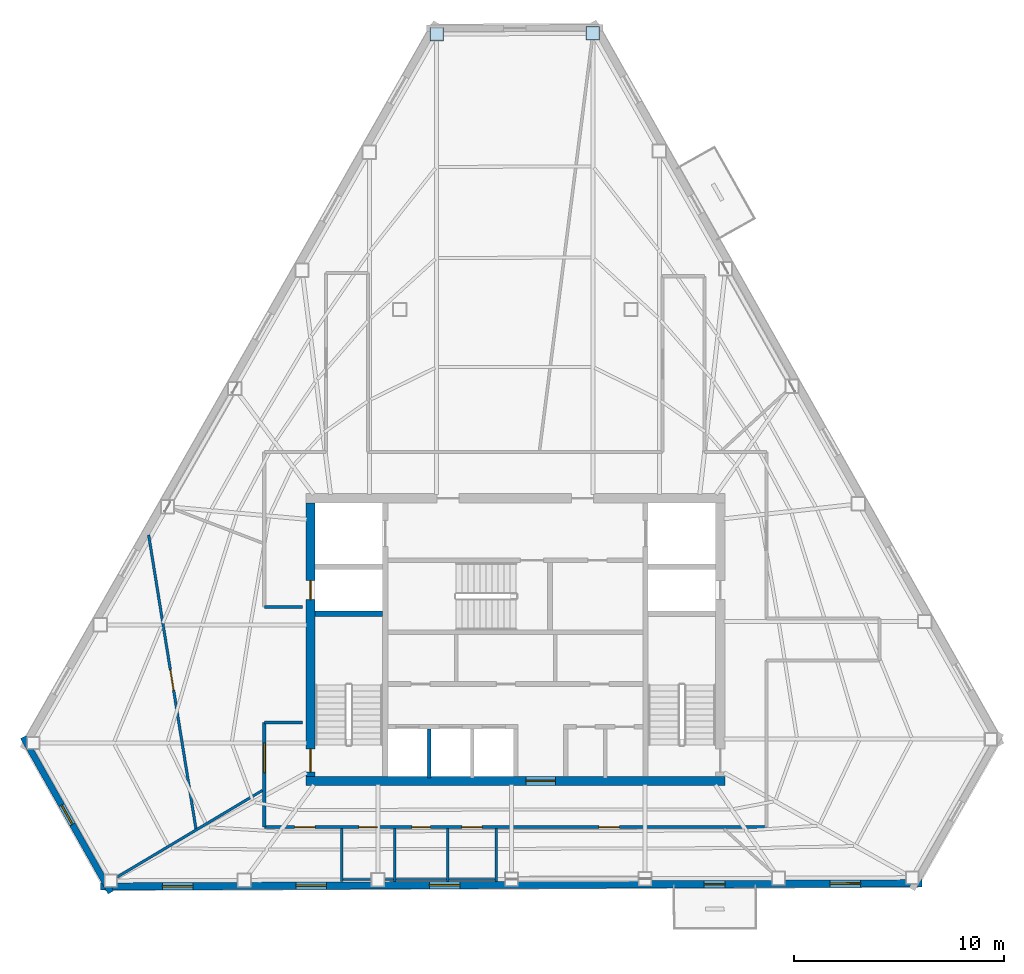
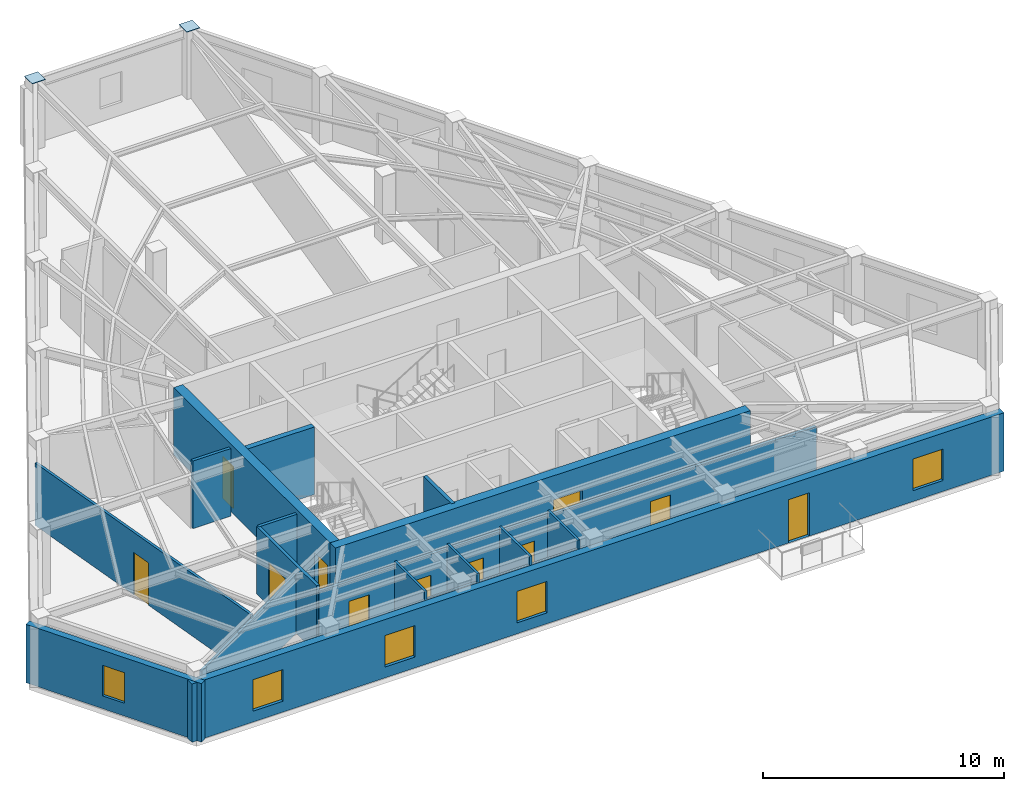
# One storey, part 6 of 10: 17 walls, 11 doors, 5 windows, 2 plates, 16 openings.
"""IFC4 building model written with IfcOpenShell, lengths in metres."""

from ifc_helpers import new_model, si_unit, direction, frame, frame_2d, origin, origin_2d, place, context, subcontext, project, spatial, rectangle, extrude, material, layer, layer_set, type_object, element, fill, save


model = new_model("IFC4")

# Units and contexts
model_context = context("Model", 3, precision=1e-05, world=origin(), true_north=direction((0.0, 1.0)))
body_context = subcontext(model_context, "Body", "Model", "MODEL_VIEW")
ifc_project = project(units=[si_unit("LENGTHUNIT", "METRE"), si_unit("AREAUNIT", "SQUARE_METRE"), si_unit("VOLUMEUNIT", "CUBIC_METRE"), si_unit("PLANEANGLEUNIT", "RADIAN"), si_unit("MASSUNIT", "GRAM", prefix="KILO")], contexts=[model_context])

# Site, building, storey
site_placement = place(None, origin())
site = spatial("IfcSite", under=ifc_project, at=site_placement, CompositionType="ELEMENT")
building_placement = place(site_placement, origin())
building = spatial("IfcBuilding", under=site, at=building_placement, Name="Kavelnor Concourse Tower", CompositionType="ELEMENT")
storey_placement = place(building_placement, frame((0.0, 0.0, 230.449951171875)))
storey = spatial("IfcBuildingStorey", under=building, at=storey_placement, Name="L58", CompositionType="ELEMENT", Elevation=230.449951171875)

# Plates
ifc_material_1 = material(Name="Steel Grade 350", Category="steel")
ifc_layer_1 = layer(ifc_material_1, 0.02490234375, Name="Steel Grade 350")
ifc_layer_set_1 = layer_set([ifc_layer_1], Name="Steel Grade 350")
plate_type = type_object("IfcPlateType", Name="PL-SPLICE-FLANGE", PredefinedType="SHEET", material=ifc_layer_set_1)
for number, where, z_axis, x_axis, name in (
    (1, (34.25634765625, 44.89892578125, 3.427001953125), (0.0, 0.0, 1.0), (1.0, 0.0, 0.0), "L58 Column Top Cap Plate F0-B0"),
    (2, (41.689453125, 44.927978515625, 3.427001953125), (0.0, 0.0, 1.0), (1.0, 0.0, 0.0), "L58 Column Top Cap Plate F2-B6"),
):
    element("IfcPlate", number, at=place(storey_placement, frame(where, z_axis=z_axis, x_axis=x_axis)), inside=storey, type_object=plate_type, Name=name, PredefinedType="SHEET", context=body_context, shape_type="SweptSolid", body=[
        extrude(rectangle(XDim=0.639892578125, YDim=0.639892578125, at=origin_2d()), origin(), (0.0, 0.0, 1.0), 0.02490234375),
    ])

# Wall, opening, door
ifc_material_2 = material(Name="Concrete C50/60", Category="concrete")
ifc_layer_2 = layer(ifc_material_2, 0.43994140625, Name="Concrete C50/60")
ifc_layer_set_2 = layer_set([ifc_layer_2], Name="Concrete C50/60")
wall_type_1 = type_object("IfcWallType", Name="WL-CORE-Z3-440", PredefinedType="SOLIDWALL", material=ifc_layer_set_2)
wall_1_placement = place(storey_placement, frame((28.0400390625, 9.3798828125, 0.0), z_axis=(0.0, 0.0, 1.0), x_axis=(1.0, 0.0, 0.0)))
wall_1 = element("IfcWall", 3, at=wall_1_placement, inside=storey, type_object=wall_type_1, Name="L58 Central Core South Shear Wall", PredefinedType="SOLIDWALL", context=body_context, shape_type="SweptSolid", body=[
    extrude(rectangle(XDim=19.919921875, YDim=0.43994140625, at=frame_2d((9.9599609375, 0.0))), origin(), (0.0, 0.0, 1.0), 3.429931640625),
])
opening_1_placement = place(wall_1_placement, frame((10.4599609375, 0.0, 0.0)))
opening_1 = element("IfcOpeningElement", 4, at=opening_1_placement, cuts=wall_1, Name="Opening SD-140", PredefinedType="OPENING", context=body_context, shape_type="SweptSolid", body=[
    extrude(rectangle(XDim=1.39990234375, YDim=2.199951171875, at=frame_2d((0.699951171875, 1.10009765625))), frame((0.0, 0.22998046875, 0.0), z_axis=(0.0, -1.0, 0.0), x_axis=(1.0, 0.0, 0.0)), (0.0, 0.0, 1.0), 0.4599609375),
])
ifc_material_3 = material(Name="Solid-core hardwood timber", Category="wood")
door_type_1 = type_object("IfcDoorType", Name="DR-SUITE-ENTRY-1400", OperationType="NOTDEFINED", PredefinedType="DOOR", material=ifc_material_3)
door_1_placement = place(opening_1_placement, origin())
door_1 = element("IfcDoor", 5, at=door_1_placement, inside=storey, type_object=door_type_1, Name="L58 Passenger Lift Lobby Entry Door", OperationType="SINGLE_SWING_LEFT", OverallHeight=2.199951171875, OverallWidth=1.39990234375, PredefinedType="DOOR", context=body_context, shape_type="SweptSolid", body=[
    extrude(rectangle(XDim=1.39990234375, YDim=2.199951171875, at=frame_2d((0.699951171875, 1.10009765625))), frame((0.0, 0.02490234375, 0.0), z_axis=(0.0, -1.0, 0.0), x_axis=(1.0, 0.0, 0.0)), (0.0, 0.0, 1.0), 0.050048828125),
])
fill(opening_1, door_1)

# Wall, openings, doors
wall_2_placement = place(storey_placement, frame((28.260009765625, 9.60009765625, 0.0), z_axis=(0.0, 0.0, 1.0), x_axis=(0.0, 1.0, 0.0)))
wall_2 = element("IfcWall", 6, at=wall_2_placement, inside=storey, type_object=wall_type_1, Name="L58 Central Core West Shear Wall", PredefinedType="SOLIDWALL", context=body_context, shape_type="SweptSolid", body=[
    extrude(rectangle(XDim=13.0, YDim=0.43994140625, at=frame_2d((6.5, 0.0))), origin(), (0.0, 0.0, 1.0), 3.429931640625),
])
opening_2_placement = place(wall_2_placement, frame((0.199951171875, 0.0, 0.0)))
opening_2 = element("IfcOpeningElement", 7, at=opening_2_placement, cuts=wall_2, Name="Opening FD-110", PredefinedType="OPENING", context=body_context, shape_type="SweptSolid", body=[
    extrude(rectangle(XDim=1.10009765625, YDim=2.14990234375, at=frame_2d((0.550048828125, 1.074951171875))), frame((0.0, 0.22998046875, 0.0), z_axis=(0.0, -1.0, 0.0), x_axis=(1.0, 0.0, 0.0)), (0.0, 0.0, 1.0), 0.4599609375),
])
opening_3_placement = place(wall_2_placement, frame((8.39990234375, 0.0, 0.0)))
opening_3 = element("IfcOpeningElement", 8, at=opening_3_placement, cuts=wall_2, Name="Opening FD-090", PredefinedType="OPENING", context=body_context, shape_type="SweptSolid", body=[
    extrude(rectangle(XDim=0.89990234375, YDim=2.10009765625, at=frame_2d((0.449951171875, 1.050048828125))), frame((0.0, 0.22998046875, 0.0), z_axis=(0.0, -1.0, 0.0), x_axis=(1.0, 0.0, 0.0)), (0.0, 0.0, 1.0), 0.4599609375),
])
door_type_2 = type_object("IfcDoorType", Name="DR-RISER-FIRE-900", OperationType="NOTDEFINED", PredefinedType="DOOR", material=ifc_material_1)
door_2_placement = place(opening_3_placement, origin())
door_2 = element("IfcDoor", 9, at=door_2_placement, inside=storey, type_object=door_type_2, Name="L58 West Riser Access Door", OperationType="SINGLE_SWING_RIGHT", OverallHeight=2.10009765625, OverallWidth=0.89990234375, PredefinedType="DOOR", context=body_context, shape_type="SweptSolid", body=[
    extrude(rectangle(XDim=0.89990234375, YDim=2.10009765625, at=frame_2d((0.449951171875, 1.050048828125))), frame((0.0, 0.02490234375, 0.0), z_axis=(0.0, -1.0, 0.0), x_axis=(1.0, 0.0, 0.0)), (0.0, 0.0, 1.0), 0.050048828125),
])
fill(opening_3, door_2)
door_type_3 = type_object("IfcDoorType", Name="DR-STAIR-FIRE-1100", OperationType="NOTDEFINED", PredefinedType="DOOR", material=ifc_material_1)
door_3_placement = place(opening_2_placement, origin())
door_3 = element("IfcDoor", 10, at=door_3_placement, inside=storey, type_object=door_type_3, Name="L58 Stair ST1 Fire Door", OperationType="SINGLE_SWING_LEFT", OverallHeight=2.14990234375, OverallWidth=1.10009765625, PredefinedType="DOOR", context=body_context, shape_type="SweptSolid", body=[
    extrude(rectangle(XDim=1.10009765625, YDim=2.14990234375, at=frame_2d((0.550048828125, 1.074951171875))), frame((0.0, 0.02490234375, 0.0), z_axis=(0.0, -1.0, 0.0), x_axis=(1.0, 0.0, 0.0)), (0.0, 0.0, 1.0), 0.050048828125),
])
fill(opening_2, door_3)

# Wall, opening, window
ifc_material_4 = material(Name="Buff ironspot clay face brick masonry", Category="masonry")
ifc_layer_3 = layer(ifc_material_4, 0.300048828125, Name="Buff ironspot clay face brick masonry")
ifc_layer_set_3 = layer_set([ifc_layer_3], Name="Buff ironspot clay face brick masonry")
wall_type_2 = type_object("IfcWallType", Name="WL-EXT-BUFF-BRICK-FOLD-300", PredefinedType="STANDARD", material=ifc_layer_set_3)
wall_3_placement = place(storey_placement, frame((18.763671875, 4.077392578125, 0.0), z_axis=(0.0, 0.0, 1.0), x_axis=(-0.491297103915, 0.870992052595, 0.0)))
wall_3 = element("IfcWall", 11, at=wall_3_placement, inside=storey, type_object=wall_type_2, Name="L58 Exterior Brick Facade Wall E2", PredefinedType="STANDARD", context=body_context, shape_type="SweptSolid", body=[
    extrude(rectangle(XDim=8.479248046875, YDim=0.300048828125, at=frame_2d((4.23974609375, 0.0))), origin(), (0.0, 0.0, 1.0), 2.962158203125),
])
opening_4_placement = place(wall_3_placement, frame((3.714599609375, 0.0, 0.64990234375)))
opening_4 = element("IfcOpeningElement", 12, at=opening_4_placement, cuts=wall_3, Name="Opening W-06", PredefinedType="OPENING", context=body_context, shape_type="SweptSolid", body=[
    extrude(rectangle(XDim=1.050048828125, YDim=1.550048828125, at=frame_2d((0.52490234375, 0.77490234375))), frame((0.0, 0.16015625, 0.0), z_axis=(0.0, -1.0, 0.0), x_axis=(1.0, 0.0, 0.0)), (0.0, 0.0, 1.0), 0.320068359375),
])
ifc_material_5 = material(Name="Double low-E argon insulated glazing", Category="glass")
window_type_1 = type_object("IfcWindowType", Name="WIN-FOLD-1050", PartitioningType="SINGLE_PANEL", PredefinedType="WINDOW", material=ifc_material_5)
window_1_placement = place(opening_4_placement, origin())
window_1 = element("IfcWindow", 13, at=window_1_placement, inside=storey, type_object=window_type_1, Name="L58 Chamfer-Fold Facet Window C1", OverallHeight=1.550048828125, OverallWidth=1.050048828125, PartitioningType="SINGLE_PANEL", PredefinedType="WINDOW", context=body_context, shape_type="SweptSolid", body=[
    extrude(rectangle(XDim=1.050048828125, YDim=1.550048828125, at=frame_2d((0.52490234375, 0.77490234375))), frame((0.0, 0.030029296875, 0.0), z_axis=(0.0, -1.0, 0.0), x_axis=(1.0, 0.0, 0.0)), (0.0, 0.0, 1.0), 0.06005859375),
])
fill(opening_4, window_1)

# Wall, openings, door, windows
ifc_material_6 = material(Name="Red-ochre clay face brick masonry", Category="masonry")
ifc_layer_4 = layer(ifc_material_6, 0.35009765625, Name="Red-ochre clay face brick masonry")
ifc_layer_set_4 = layer_set([ifc_layer_4], Name="Red-ochre clay face brick masonry")
wall_type_3 = type_object("IfcWallType", Name="WL-EXT-RED-BRICK-PIER-350", PredefinedType="STANDARD", material=ifc_layer_set_4)
wall_4_placement = place(storey_placement, frame((57.346435546875, 4.510498046875, 0.0), z_axis=(0.0, 0.0, 1.0), x_axis=(-0.999992347121, -0.003912249994, 0.0)))
wall_4 = element("IfcWall", 14, at=wall_4_placement, inside=storey, type_object=wall_type_3, Name="L58 Exterior Brick Facade Wall E3", PredefinedType="STANDARD", context=body_context, shape_type="SweptSolid", body=[
    extrude(rectangle(XDim=39.06494140625, YDim=0.35009765625, at=frame_2d((19.532470703125, 0.0))), origin(), (0.0, 0.0, 1.0), 2.962158203125),
])
opening_5_placement = place(wall_4_placement, frame((9.3662109375, 0.0, 0.0)))
opening_5 = element("IfcOpeningElement", 15, at=opening_5_placement, cuts=wall_4, Name="Opening BD-100", PredefinedType="OPENING", context=body_context, shape_type="SweptSolid", body=[
    extrude(rectangle(XDim=1.0, YDim=2.199951171875, at=frame_2d((0.5, 1.10009765625))), frame((0.0, 0.18505859375, 0.0), z_axis=(0.0, -1.0, 0.0), x_axis=(1.0, 0.0, 0.0)), (0.0, 0.0, 1.0), 0.3701171875),
])
opening_6_placement = place(wall_4_placement, frame((34.68310546875, 0.0, 0.550048828125)))
opening_6 = element("IfcOpeningElement", 16, at=opening_6_placement, cuts=wall_4, Name="Opening W-03", PredefinedType="OPENING", context=body_context, shape_type="SweptSolid", body=[
    extrude(rectangle(XDim=1.449951171875, YDim=1.60009765625, at=frame_2d((0.72509765625, 0.800048828125))), frame((0.0, 0.18505859375, 0.0), z_axis=(0.0, -1.0, 0.0), x_axis=(1.0, 0.0, 0.0)), (0.0, 0.0, 1.0), 0.3701171875),
])
opening_7_placement = place(wall_4_placement, frame((28.33203125, 0.0, 0.550048828125)))
opening_7 = element("IfcOpeningElement", 17, at=opening_7_placement, cuts=wall_4, Name="Opening W-03", PredefinedType="OPENING", context=body_context, shape_type="SweptSolid", body=[
    extrude(rectangle(XDim=1.449951171875, YDim=1.60009765625, at=frame_2d((0.72509765625, 0.800048828125))), frame((0.0, 0.18505859375, 0.0), z_axis=(0.0, -1.0, 0.0), x_axis=(1.0, 0.0, 0.0)), (0.0, 0.0, 1.0), 0.3701171875),
])
opening_8_placement = place(wall_4_placement, frame((21.981201171875, 0.0, 0.550048828125)))
opening_8 = element("IfcOpeningElement", 18, at=opening_8_placement, cuts=wall_4, Name="Opening W-03", PredefinedType="OPENING", context=body_context, shape_type="SweptSolid", body=[
    extrude(rectangle(XDim=1.449951171875, YDim=1.60009765625, at=frame_2d((0.72509765625, 0.800048828125))), frame((0.0, 0.18505859375, 0.0), z_axis=(0.0, -1.0, 0.0), x_axis=(1.0, 0.0, 0.0)), (0.0, 0.0, 1.0), 0.3701171875),
])
opening_9_placement = place(wall_4_placement, frame((2.92822265625, 0.0, 0.550048828125)))
opening_9 = element("IfcOpeningElement", 19, at=opening_9_placement, cuts=wall_4, Name="Opening W-03", PredefinedType="OPENING", context=body_context, shape_type="SweptSolid", body=[
    extrude(rectangle(XDim=1.449951171875, YDim=1.60009765625, at=frame_2d((0.72509765625, 0.800048828125))), frame((0.0, 0.18505859375, 0.0), z_axis=(0.0, -1.0, 0.0), x_axis=(1.0, 0.0, 0.0)), (0.0, 0.0, 1.0), 0.3701171875),
])
ifc_material_7 = material(Name="Anodised aluminium 6063-T6", Category="aluminium")
door_type_4 = type_object("IfcDoorType", Name="DR-BALCONY-EXT-1000", OperationType="NOTDEFINED", PredefinedType="DOOR", material=ifc_material_7)
door_4_placement = place(opening_5_placement, origin())
door_4 = element("IfcDoor", 20, at=door_4_placement, inside=storey, type_object=door_type_4, Name="L58 Tree Balcony 1 Glazed Door", OperationType="SINGLE_SWING_LEFT", OverallHeight=2.199951171875, OverallWidth=1.0, PredefinedType="DOOR", context=body_context, shape_type="SweptSolid", body=[
    extrude(rectangle(XDim=1.0, YDim=2.199951171875, at=frame_2d((0.5, 1.10009765625))), frame((0.0, 0.02490234375, 0.0), z_axis=(0.0, -1.0, 0.0), x_axis=(1.0, 0.0, 0.0)), (0.0, 0.0, 1.0), 0.050048828125),
])
fill(opening_5, door_4)
window_type_2 = type_object("IfcWindowType", Name="WIN-PIER-Z3-1500", PartitioningType="SINGLE_PANEL", PredefinedType="WINDOW", material=ifc_material_5)
window_2_placement = place(opening_6_placement, origin())
window_2 = element("IfcWindow", 21, at=window_2_placement, inside=storey, type_object=window_type_2, Name="L58 Deep-Set Brick Pier Window F1-B0", OverallHeight=1.60009765625, OverallWidth=1.449951171875, PartitioningType="SINGLE_PANEL", PredefinedType="WINDOW", context=body_context, shape_type="SweptSolid", body=[
    extrude(rectangle(XDim=1.449951171875, YDim=1.60009765625, at=frame_2d((0.72509765625, 0.800048828125))), frame((0.0, 0.030029296875, 0.0), z_axis=(0.0, -1.0, 0.0), x_axis=(1.0, 0.0, 0.0)), (0.0, 0.0, 1.0), 0.06005859375),
])
fill(opening_6, window_2)
window_3_placement = place(opening_7_placement, origin())
window_3 = element("IfcWindow", 22, at=window_3_placement, inside=storey, type_object=window_type_2, Name="L58 Deep-Set Brick Pier Window F1-B1", OverallHeight=1.60009765625, OverallWidth=1.449951171875, PartitioningType="SINGLE_PANEL", PredefinedType="WINDOW", context=body_context, shape_type="SweptSolid", body=[
    extrude(rectangle(XDim=1.449951171875, YDim=1.60009765625, at=frame_2d((0.72509765625, 0.800048828125))), frame((0.0, 0.030029296875, 0.0), z_axis=(0.0, -1.0, 0.0), x_axis=(1.0, 0.0, 0.0)), (0.0, 0.0, 1.0), 0.06005859375),
])
fill(opening_7, window_3)
window_4_placement = place(opening_8_placement, origin())
window_4 = element("IfcWindow", 23, at=window_4_placement, inside=storey, type_object=window_type_2, Name="L58 Deep-Set Brick Pier Window F1-B2", OverallHeight=1.60009765625, OverallWidth=1.449951171875, PartitioningType="SINGLE_PANEL", PredefinedType="WINDOW", context=body_context, shape_type="SweptSolid", body=[
    extrude(rectangle(XDim=1.449951171875, YDim=1.60009765625, at=frame_2d((0.72509765625, 0.800048828125))), frame((0.0, 0.030029296875, 0.0), z_axis=(0.0, -1.0, 0.0), x_axis=(1.0, 0.0, 0.0)), (0.0, 0.0, 1.0), 0.06005859375),
])
fill(opening_8, window_4)
window_5_placement = place(opening_9_placement, origin())
window_5 = element("IfcWindow", 24, at=window_5_placement, inside=storey, type_object=window_type_2, Name="L58 Deep-Set Brick Pier Window F1-B5", OverallHeight=1.60009765625, OverallWidth=1.449951171875, PartitioningType="SINGLE_PANEL", PredefinedType="WINDOW", context=body_context, shape_type="SweptSolid", body=[
    extrude(rectangle(XDim=1.449951171875, YDim=1.60009765625, at=frame_2d((0.72509765625, 0.800048828125))), frame((0.0, 0.030029296875, 0.0), z_axis=(0.0, -1.0, 0.0), x_axis=(1.0, 0.0, 0.0)), (0.0, 0.0, 1.0), 0.06005859375),
])
fill(opening_9, window_5)

# Wall
ifc_material_8 = material(Name="Gypsum plasterboard on light-gauge steel studs", Category="steel")
ifc_layer_5 = layer(ifc_material_8, 0.14501953125, Name="Gypsum plasterboard on light-gauge steel studs")
ifc_layer_set_5 = layer_set([ifc_layer_5], Name="Gypsum plasterboard on light-gauge steel studs")
wall_type_4 = type_object("IfcWallType", Name="WL-INT-CORR-145", PredefinedType="PARTITIONING", material=ifc_layer_set_5)
wall_5_placement = place(storey_placement, frame((27.8798828125, 17.64990234375, 0.0), z_axis=(0.0, 0.0, 1.0), x_axis=(-1.0, 0.0, 0.0)))
element("IfcWall", 25, at=wall_5_placement, inside=storey, type_object=wall_type_4, Name="L58 Corridor Wall WL-L58-CR-01", PredefinedType="PARTITIONING", context=body_context, shape_type="SweptSolid", body=[
    extrude(rectangle(XDim=1.81982421875, YDim=0.14501953125, at=frame_2d((0.909912109375, 0.0))), origin(), (0.0, 0.0, 1.0), 3.429931640625),
])

# Wall, openings, doors
wall_6_placement = place(storey_placement, frame((49.93994140625, 7.179931640625, 0.0), z_axis=(0.0, 0.0, 1.0), x_axis=(-1.0, 0.0, 0.0)))
wall_6 = element("IfcWall", 26, at=wall_6_placement, inside=storey, type_object=wall_type_4, Name="L58 Corridor Wall WL-L58-CR-17", PredefinedType="PARTITIONING", context=body_context, shape_type="SweptSolid", body=[
    extrude(rectangle(XDim=23.8798828125, YDim=0.14501953125, at=frame_2d((11.93994140625, 0.0))), origin(), (0.0, 0.0, 1.0), 3.1689453125),
])
opening_10_placement = place(wall_6_placement, frame((18.5, 0.0, 0.0)))
opening_10 = element("IfcOpeningElement", 27, at=opening_10_placement, cuts=wall_6, Name="Opening WD-088", PredefinedType="OPENING", context=body_context, shape_type="SweptSolid", body=[
    extrude(rectangle(XDim=0.8798828125, YDim=2.10009765625, at=frame_2d((0.43994140625, 1.050048828125))), frame((0.0, 0.08251953125, 0.0), z_axis=(0.0, -1.0, 0.0), x_axis=(1.0, 0.0, 0.0)), (0.0, 0.0, 1.0), 0.1650390625),
])
opening_11_placement = place(wall_6_placement, frame((15.97998046875, 0.0, 0.0)))
opening_11 = element("IfcOpeningElement", 28, at=opening_11_placement, cuts=wall_6, Name="Opening WD-088", PredefinedType="OPENING", context=body_context, shape_type="SweptSolid", body=[
    extrude(rectangle(XDim=0.8798828125, YDim=2.10009765625, at=frame_2d((0.43994140625, 1.050048828125))), frame((0.0, 0.08251953125, 0.0), z_axis=(0.0, -1.0, 0.0), x_axis=(1.0, 0.0, 0.0)), (0.0, 0.0, 1.0), 0.1650390625),
])
opening_12_placement = place(wall_6_placement, frame((13.52001953125, 0.0, 0.0)))
opening_12 = element("IfcOpeningElement", 29, at=opening_12_placement, cuts=wall_6, Name="Opening WD-096", PredefinedType="OPENING", context=body_context, shape_type="SweptSolid", body=[
    extrude(rectangle(XDim=0.9599609375, YDim=2.10009765625, at=frame_2d((0.47998046875, 1.050048828125))), frame((0.0, 0.08251953125, 0.0), z_axis=(0.0, -1.0, 0.0), x_axis=(1.0, 0.0, 0.0)), (0.0, 0.0, 1.0), 0.1650390625),
])
opening_13_placement = place(wall_6_placement, frame((21.45947265625, 0.0, 0.0)))
opening_13 = element("IfcOpeningElement", 30, at=opening_13_placement, cuts=wall_6, Name="Opening OD-098", PredefinedType="OPENING", context=body_context, shape_type="SweptSolid", body=[
    extrude(rectangle(XDim=0.97998046875, YDim=2.14990234375, at=frame_2d((0.489990234375, 1.074951171875))), frame((0.0, 0.08251953125, 0.0), z_axis=(0.0, -1.0, 0.0), x_axis=(1.0, 0.0, 0.0)), (0.0, 0.0, 1.0), 0.1650390625),
])
opening_14_placement = place(wall_6_placement, frame((6.98974609375, 0.0, 0.0)))
opening_14 = element("IfcOpeningElement", 31, at=opening_14_placement, cuts=wall_6, Name="Opening OD-098", PredefinedType="OPENING", context=body_context, shape_type="SweptSolid", body=[
    extrude(rectangle(XDim=0.97998046875, YDim=2.14990234375, at=frame_2d((0.489990234375, 1.074951171875))), frame((0.0, 0.08251953125, 0.0), z_axis=(0.0, -1.0, 0.0), x_axis=(1.0, 0.0, 0.0)), (0.0, 0.0, 1.0), 0.1650390625),
])
door_type_5 = type_object("IfcDoorType", Name="DR-OFFICE-980", OperationType="NOTDEFINED", PredefinedType="DOOR", material=ifc_material_3)
door_5_placement = place(opening_13_placement, origin())
door_5 = element("IfcDoor", 32, at=door_5_placement, inside=storey, type_object=door_type_5, Name="L58 Building Staff Breakroom 05 Door", OperationType="SINGLE_SWING_RIGHT", OverallHeight=2.14990234375, OverallWidth=0.97998046875, PredefinedType="DOOR", context=body_context, shape_type="SweptSolid", body=[
    extrude(rectangle(XDim=0.97998046875, YDim=2.14990234375, at=frame_2d((0.489990234375, 1.074951171875))), frame((0.0, 0.02490234375, 0.0), z_axis=(0.0, -1.0, 0.0), x_axis=(1.0, 0.0, 0.0)), (0.0, 0.0, 1.0), 0.050048828125),
])
fill(opening_13, door_5)
door_6_placement = place(opening_14_placement, origin())
door_6 = element("IfcDoor", 33, at=door_6_placement, inside=storey, type_object=door_type_5, Name="L58 Building Staff Breakroom 06 Door", OperationType="SINGLE_SWING_LEFT", OverallHeight=2.14990234375, OverallWidth=0.97998046875, PredefinedType="DOOR", context=body_context, shape_type="SweptSolid", body=[
    extrude(rectangle(XDim=0.97998046875, YDim=2.14990234375, at=frame_2d((0.489990234375, 1.074951171875))), frame((0.0, 0.02490234375, 0.0), z_axis=(0.0, -1.0, 0.0), x_axis=(1.0, 0.0, 0.0)), (0.0, 0.0, 1.0), 0.050048828125),
])
fill(opening_14, door_6)
door_type_6 = type_object("IfcDoorType", Name="DR-WC-ACC-960", OperationType="NOTDEFINED", PredefinedType="DOOR", material=ifc_material_3)
door_7_placement = place(opening_12_placement, origin())
door_7 = element("IfcDoor", 34, at=door_7_placement, inside=storey, type_object=door_type_6, Name="L58 Accessible WC Door", OperationType="SINGLE_SWING_LEFT", OverallHeight=2.10009765625, OverallWidth=0.9599609375, PredefinedType="DOOR", context=body_context, shape_type="SweptSolid", body=[
    extrude(rectangle(XDim=0.9599609375, YDim=2.10009765625, at=frame_2d((0.47998046875, 1.050048828125))), frame((0.0, 0.02490234375, 0.0), z_axis=(0.0, -1.0, 0.0), x_axis=(1.0, 0.0, 0.0)), (0.0, 0.0, 1.0), 0.050048828125),
])
fill(opening_12, door_7)
door_type_7 = type_object("IfcDoorType", Name="DR-WC-STD-880", OperationType="NOTDEFINED", PredefinedType="DOOR", material=ifc_material_3)
door_8_placement = place(opening_10_placement, origin())
door_8 = element("IfcDoor", 35, at=door_8_placement, inside=storey, type_object=door_type_7, Name="L58 Male WC Door", OperationType="SINGLE_SWING_LEFT", OverallHeight=2.10009765625, OverallWidth=0.8798828125, PredefinedType="DOOR", context=body_context, shape_type="SweptSolid", body=[
    extrude(rectangle(XDim=0.8798828125, YDim=2.10009765625, at=frame_2d((0.43994140625, 1.050048828125))), frame((0.0, 0.02490234375, 0.0), z_axis=(0.0, -1.0, 0.0), x_axis=(1.0, 0.0, 0.0)), (0.0, 0.0, 1.0), 0.050048828125),
])
fill(opening_10, door_8)
door_9_placement = place(opening_11_placement, origin())
door_9 = element("IfcDoor", 36, at=door_9_placement, inside=storey, type_object=door_type_7, Name="L58 Female WC Door", OperationType="SINGLE_SWING_RIGHT", OverallHeight=2.10009765625, OverallWidth=0.8798828125, PredefinedType="DOOR", context=body_context, shape_type="SweptSolid", body=[
    extrude(rectangle(XDim=0.8798828125, YDim=2.10009765625, at=frame_2d((0.43994140625, 1.050048828125))), frame((0.0, 0.02490234375, 0.0), z_axis=(0.0, -1.0, 0.0), x_axis=(1.0, 0.0, 0.0)), (0.0, 0.0, 1.0), 0.050048828125),
])
fill(opening_11, door_9)

# Wall, opening, door
wall_7_placement = place(storey_placement, frame((26.06005859375, 7.179931640625, 0.0), z_axis=(0.0, 0.0, 1.0), x_axis=(0.0, 1.0, 0.0)))
wall_7 = element("IfcWall", 37, at=wall_7_placement, inside=storey, type_object=wall_type_4, Name="L58 Corridor Wall WL-L58-CR-18", PredefinedType="PARTITIONING", context=body_context, shape_type="SweptSolid", body=[
    extrude(rectangle(XDim=4.969970703125, YDim=0.14501953125, at=frame_2d((2.48486328125, 0.0))), origin(), (0.0, 0.0, 1.0), 3.429931640625),
])
opening_15_placement = place(wall_7_placement, frame((2.593994140625, 0.0, 0.0)))
opening_15 = element("IfcOpeningElement", 38, at=opening_15_placement, cuts=wall_7, Name="Opening SD-140", PredefinedType="OPENING", context=body_context, shape_type="SweptSolid", body=[
    extrude(rectangle(XDim=1.39990234375, YDim=2.199951171875, at=frame_2d((0.699951171875, 1.10009765625))), frame((0.0, 0.08251953125, 0.0), z_axis=(0.0, -1.0, 0.0), x_axis=(1.0, 0.0, 0.0)), (0.0, 0.0, 1.0), 0.1650390625),
])
door_10_placement = place(opening_15_placement, origin())
door_10 = element("IfcDoor", 39, at=door_10_placement, inside=storey, type_object=door_type_1, Name="L58 Tenant Bookstore Retail Shop 03 Door", OperationType="SINGLE_SWING_RIGHT", OverallHeight=2.199951171875, OverallWidth=1.39990234375, PredefinedType="DOOR", context=body_context, shape_type="SweptSolid", body=[
    extrude(rectangle(XDim=1.39990234375, YDim=2.199951171875, at=frame_2d((0.699951171875, 1.10009765625))), frame((0.0, 0.02490234375, 0.0), z_axis=(0.0, -1.0, 0.0), x_axis=(1.0, 0.0, 0.0)), (0.0, 0.0, 1.0), 0.050048828125),
])
fill(opening_15, door_10)

# Walls
wall_8_placement = place(storey_placement, frame((26.06005859375, 12.14990234375, 0.0), z_axis=(0.0, 0.0, 1.0), x_axis=(1.0, 0.0, 0.0)))
element("IfcWall", 40, at=wall_8_placement, inside=storey, type_object=wall_type_4, Name="L58 Corridor Wall WL-L58-CR-19", PredefinedType="PARTITIONING", context=body_context, shape_type="SweptSolid", body=[
    extrude(rectangle(XDim=1.81982421875, YDim=0.14501953125, at=frame_2d((0.909912109375, 0.0))), origin(), (0.0, 0.0, 1.0), 3.429931640625),
])
ifc_layer_6 = layer(ifc_material_8, 0.1650390625, Name="Gypsum plasterboard on light-gauge steel studs")
ifc_layer_set_6 = layer_set([ifc_layer_6], Name="Gypsum plasterboard on light-gauge steel studs")
wall_type_5 = type_object("IfcWallType", Name="WL-INT-FIRE-165", PredefinedType="PARTITIONING", material=ifc_layer_set_6)
wall_9_placement = place(storey_placement, frame((33.89990234375, 9.52001953125, 0.0), z_axis=(0.0, 0.0, 1.0), x_axis=(0.0, 1.0, 0.0)))
element("IfcWall", 41, at=wall_9_placement, inside=storey, type_object=wall_type_5, Name="L58 Lift Shaft Divider LP7", PredefinedType="PARTITIONING", context=body_context, shape_type="SweptSolid", body=[
    extrude(rectangle(XDim=2.320068359375, YDim=0.1650390625, at=frame_2d((1.16015625, 0.0))), origin(), (0.0, 0.0, 1.0), 3.429931640625),
])
ifc_layer_7 = layer(ifc_material_8, 0.125, Name="Gypsum plasterboard on light-gauge steel studs")
ifc_layer_set_7 = layer_set([ifc_layer_7], Name="Gypsum plasterboard on light-gauge steel studs")
wall_type_6 = type_object("IfcWallType", Name="WL-INT-SUITE-125", PredefinedType="PARTITIONING", material=ifc_layer_set_7)
wall_10_placement = place(storey_placement, frame((25.9794921875, 8.932861328125, 0.0), z_axis=(0.0, 0.0, 1.0), x_axis=(-0.858895628023, -0.512150661586, 0.0)))
element("IfcWall", 42, at=wall_10_placement, inside=storey, type_object=wall_type_6, Name="L58 Radial Suite Partition 04", PredefinedType="PARTITIONING", context=body_context, shape_type="SweptSolid", body=[
    extrude(rectangle(XDim=8.044189453125, YDim=0.125, at=frame_2d((4.02197265625, 0.0))), origin(), (0.0, 0.0, 1.0), 2.970947265625),
])

# Wall, opening, door
wall_11_placement = place(storey_placement, frame((20.56103515625, 21.081787109375, 0.0), z_axis=(0.0, 0.0, 1.0), x_axis=(0.158981027385, -0.987281638101, 0.0)))
wall_11 = element("IfcWall", 43, at=wall_11_placement, inside=storey, type_object=wall_type_6, Name="L58 Suite Subdivision Partition 03", PredefinedType="PARTITIONING", context=body_context, shape_type="SweptSolid", body=[
    extrude(rectangle(XDim=14.197265625, YDim=0.125, at=frame_2d((7.0986328125, 0.0))), origin(), (0.0, 0.0, 1.0), 3.1689453125),
])
opening_16_placement = place(wall_11_placement, frame((6.4970703125, 0.0, 0.0)))
opening_16 = element("IfcOpeningElement", 44, at=opening_16_placement, cuts=wall_11, Name="Opening OD-098", PredefinedType="OPENING", context=body_context, shape_type="SweptSolid", body=[
    extrude(rectangle(XDim=0.97998046875, YDim=2.14990234375, at=frame_2d((0.489990234375, 1.074951171875))), frame((0.0, 0.072509765625, 0.0), z_axis=(0.0, -1.0, 0.0), x_axis=(1.0, 0.0, 0.0)), (0.0, 0.0, 1.0), 0.14501953125),
])
door_11_placement = place(opening_16_placement, origin())
door_11 = element("IfcDoor", 45, at=door_11_placement, inside=storey, type_object=door_type_5, Name="L58 Building Staff Breakroom 04 Door", OperationType="SINGLE_SWING_LEFT", OverallHeight=2.14990234375, OverallWidth=0.97998046875, PredefinedType="DOOR", context=body_context, shape_type="SweptSolid", body=[
    extrude(rectangle(XDim=0.97998046875, YDim=2.14990234375, at=frame_2d((0.489990234375, 1.074951171875))), frame((0.0, 0.02490234375, 0.0), z_axis=(0.0, -1.0, 0.0), x_axis=(1.0, 0.0, 0.0)), (0.0, 0.0, 1.0), 0.050048828125),
])
fill(opening_16, door_11)

# Walls
ifc_layer_8 = layer(ifc_material_8, 0.110107421875, Name="Gypsum plasterboard on light-gauge steel studs")
ifc_layer_set_8 = layer_set([ifc_layer_8], Name="Gypsum plasterboard on light-gauge steel studs")
wall_type_7 = type_object("IfcWallType", Name="WL-INT-WC-110", PredefinedType="PLUMBINGWALL", material=ifc_layer_set_8)
for number, where, z_axis, x_axis, name in (
    (46, (29.739990234375, 4.58935546875, 0.0), (0.0, 0.0, 1.0), (0.0, 1.0, 0.0), "L58 Sanitary Partition WL-L58-WC-W"),
    (47, (32.260009765625, 4.58935546875, 0.0), (0.0, 0.0, 1.0), (0.0, 1.0, 0.0), "L58 Sanitary Partition WL-L58-WC-D1"),
):
    element("IfcWall", number, at=place(storey_placement, frame(where, z_axis=z_axis, x_axis=x_axis)), inside=storey, type_object=wall_type_7, Name=name, PredefinedType="PLUMBINGWALL", context=body_context, shape_type="SweptSolid", body=[
        extrude(rectangle(XDim=2.520751953125, YDim=0.110107421875, at=frame_2d((1.26025390625, 0.0))), origin(), (0.0, 0.0, 1.0), 3.429931640625),
    ])
wall_12_placement = place(storey_placement, frame((34.780029296875, 4.59716796875, 0.0), z_axis=(0.0, 0.0, 1.0), x_axis=(0.0, 1.0, 0.0)))
element("IfcWall", 48, at=wall_12_placement, inside=storey, type_object=wall_type_7, Name="L58 Sanitary Partition WL-L58-WC-D2", PredefinedType="PLUMBINGWALL", context=body_context, shape_type="SweptSolid", body=[
    extrude(rectangle(XDim=2.512939453125, YDim=0.110107421875, at=frame_2d((1.25634765625, 0.0))), origin(), (0.0, 0.0, 1.0), 3.429931640625),
])
wall_13_placement = place(storey_placement, frame((37.10009765625, 4.606201171875, 0.0), z_axis=(0.0, 0.0, 1.0), x_axis=(0.0, 1.0, 0.0)))
element("IfcWall", 49, at=wall_13_placement, inside=storey, type_object=wall_type_7, Name="L58 Sanitary Partition WL-L58-WC-E", PredefinedType="PLUMBINGWALL", context=body_context, shape_type="SweptSolid", body=[
    extrude(rectangle(XDim=2.50390625, YDim=0.110107421875, at=frame_2d((1.251953125, 0.0))), origin(), (0.0, 0.0, 1.0), 3.429931640625),
])
wall_14_placement = place(storey_placement, frame((29.68994140625, 4.689453125, 0.0), z_axis=(0.0, 0.0, 1.0), x_axis=(1.0, 0.0, 0.0)))
element("IfcWall", 50, at=wall_14_placement, inside=storey, type_object=wall_type_7, Name="L58 Sanitary Partition WL-L58-WC-S", PredefinedType="PLUMBINGWALL", context=body_context, shape_type="SweptSolid", body=[
    extrude(rectangle(XDim=7.4599609375, YDim=0.110107421875, at=frame_2d((3.72998046875, 0.0))), origin(), (0.0, 0.0, 1.0), 2.965087890625),
])
ifc_layer_9 = layer(ifc_material_2, 0.260009765625, Name="Concrete C50/60")
ifc_layer_set_9 = layer_set([ifc_layer_9], Name="Concrete C50/60")
wall_type_8 = type_object("IfcWallType", Name="WL-SHAFT-260", PredefinedType="SHEAR", material=ifc_layer_set_9)
wall_15_placement = place(storey_placement, frame((28.47998046875, 17.330078125, 0.0), z_axis=(0.0, 0.0, 1.0), x_axis=(1.0, 0.0, 0.0)))
element("IfcWall", 51, at=wall_15_placement, inside=storey, type_object=wall_type_8, Name="L58 Stair ST1 North Shaft Wall", PredefinedType="SHEAR", context=body_context, shape_type="SweptSolid", body=[
    extrude(rectangle(XDim=3.199951171875, YDim=0.260009765625, at=frame_2d((1.60009765625, 0.0))), origin(), (0.0, 0.0, 1.0), 3.429931640625),
])

save(model, "model.ifc")
